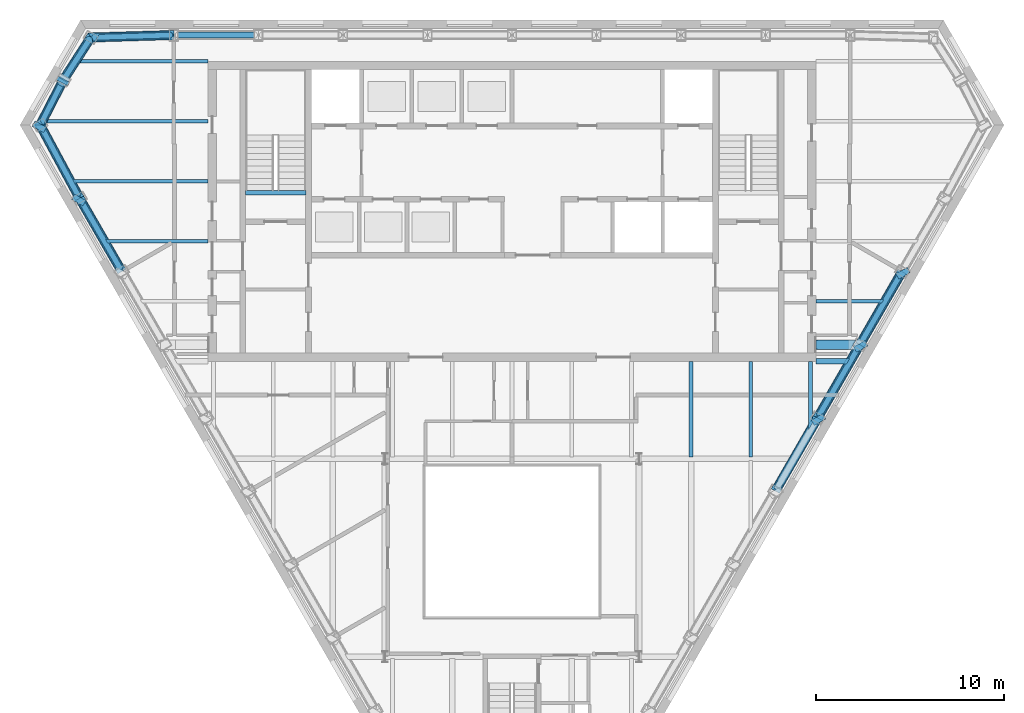
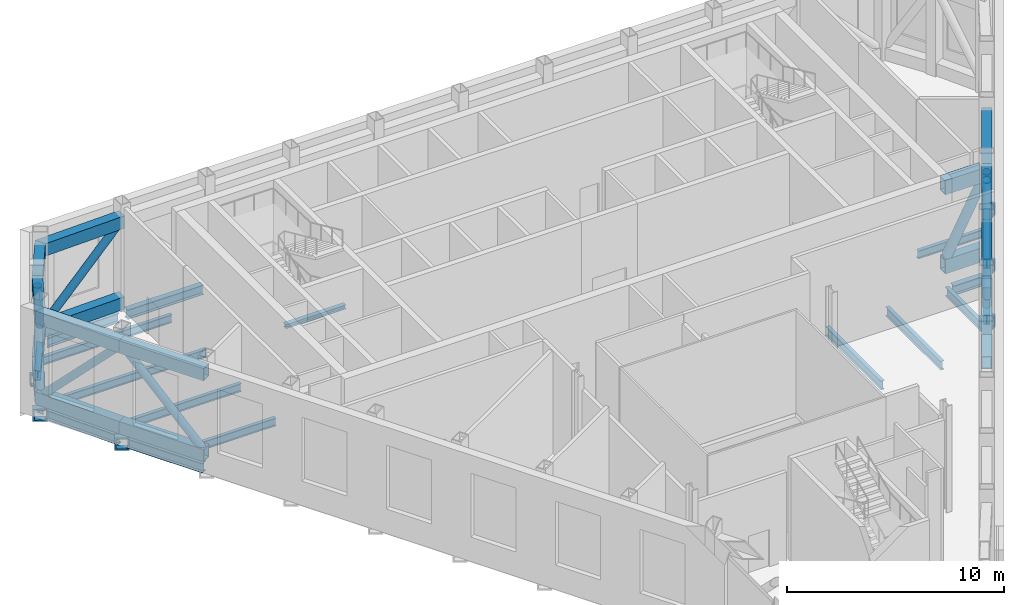
# One storey, part 4 of 14: 27 members, 24 beams.
"""IFC4 building model written with IfcOpenShell, lengths in metres."""

from ifc_helpers import new_model, si_unit, direction, frame, origin, origin_2d, place, context, subcontext, project, spatial, hollow_rectangle, hollow_circle, i_section, extrude, clip, halfspace, material, material_profile, profile_set, type_object, element, save


model = new_model("IFC4")

# Units and contexts
model_context = context("Model", 3, precision=1e-05, world=origin(), true_north=direction((0.0, 1.0)))
body_context = subcontext(model_context, "Body", "Model", "MODEL_VIEW")
ifc_project = project(units=[si_unit("LENGTHUNIT", "METRE"), si_unit("AREAUNIT", "SQUARE_METRE"), si_unit("VOLUMEUNIT", "CUBIC_METRE"), si_unit("PLANEANGLEUNIT", "RADIAN"), si_unit("MASSUNIT", "GRAM", prefix="KILO")], contexts=[model_context])

# Site, building, storey
site_placement = place(None, origin())
site = spatial("IfcSite", under=ifc_project, at=site_placement, CompositionType="ELEMENT")
building_placement = place(site_placement, origin())
building = spatial("IfcBuilding", under=site, at=building_placement, Name="Njiva Tower", CompositionType="ELEMENT")
storey_placement = place(building_placement, frame((0.0, 0.0, 239.4)))
storey = spatial("IfcBuildingStorey", under=building, at=storey_placement, Name="L54", CompositionType="ELEMENT", Elevation=239.4)

# Beams
ifc_material_1 = material(Name="Steel S355 J2", Category="steel")
ifc_material_profile_1 = material_profile(ifc_material_1, hollow_rectangle(XDim=0.7, YDim=0.7, WallThickness=0.08, at=origin_2d()), Name="BOX 700x700x80")
ifc_profile_set_1 = profile_set([ifc_material_profile_1], Name="Steel S355 J2")
beam_type_1 = type_object("IfcBeamType", Name="B19 Column jog beam BOX 700x700x80", PredefinedType="BEAM", material=ifc_profile_set_1)
beam_1_placement = place(storey_placement, frame((-24.0, 16.854, -0.55), z_axis=(0.463334503305, 0.886183467487, 0.0), x_axis=(-0.886183467487, 0.463334503305, 0.0)))
element("IfcBeam", 1, at=beam_1_placement, inside=storey, type_object=beam_type_1, Name="Column jog beam T4-B018", PredefinedType="BEAM", context=body_context, shape_type="SweptSolid", body=[
    extrude(hollow_rectangle(XDim=0.7, YDim=0.7, WallThickness=0.08, at=origin_2d()), origin(), (0.0, 0.0, 1.0), 0.2223),
])
beam_2_placement = place(storey_placement, frame((-25.287, 14.362, -0.55), z_axis=(0.480983596396, 0.876729593431, 0.0), x_axis=(-0.876729593431, 0.480983596396, 0.0)))
element("IfcBeam", 2, at=beam_2_placement, inside=storey, type_object=beam_type_1, Name="Column jog beam T4-B017", PredefinedType="BEAM", context=body_context, shape_type="SweptSolid", body=[
    extrude(hollow_rectangle(XDim=0.7, YDim=0.7, WallThickness=0.08, at=origin_2d()), origin(), (0.0, 0.0, 1.0), 0.3285),
])
beam_3_placement = place(storey_placement, frame((-23.187, 10.46, -0.55), z_axis=(0.487203149524, 0.873288664242, 0.0), x_axis=(-0.873288664242, 0.487203149524, 0.0)))
element("IfcBeam", 3, at=beam_3_placement, inside=storey, type_object=beam_type_1, Name="Column jog beam T4-B019", PredefinedType="BEAM", context=body_context, shape_type="SweptSolid", body=[
    extrude(hollow_rectangle(XDim=0.7, YDim=0.7, WallThickness=0.08, at=origin_2d()), origin(), (0.0, 0.0, 1.0), 0.3264),
])
beam_4_placement = place(storey_placement, frame((16.428, -1.248, -0.55), z_axis=(-0.498124460568, 0.867105542471, 0.0), x_axis=(-0.867105542471, -0.498124460568, 0.0)))
element("IfcBeam", 4, at=beam_4_placement, inside=storey, type_object=beam_type_1, Name="Column jog beam T4-B040", PredefinedType="BEAM", context=body_context, shape_type="SweptSolid", body=[
    extrude(hollow_rectangle(XDim=0.7, YDim=0.7, WallThickness=0.08, at=origin_2d()), origin(), (0.0, 0.0, 1.0), 0.3252),
])
for number, where, z_axis, x_axis, name in (
    (5, (18.68, 2.654, -0.55), (-0.488509809828, 0.872558402459, 0.0), (-0.872558402459, -0.488509809828, 0.0), "Column jog beam T4-B041"),
    (6, (20.934, 6.557, -0.55), (-0.488509809828, 0.872558402459, 0.0), (-0.872558402459, -0.488509809828, 0.0), "Column jog beam T4-B042"),
):
    element("IfcBeam", number, at=place(storey_placement, frame(where, z_axis=z_axis, x_axis=x_axis)), inside=storey, type_object=beam_type_1, Name=name, PredefinedType="BEAM", context=body_context, shape_type="SweptSolid", body=[
        extrude(hollow_rectangle(XDim=0.7, YDim=0.7, WallThickness=0.08, at=origin_2d()), origin(), (0.0, 0.0, 1.0), 0.3255),
    ])
ifc_material_profile_2 = material_profile(ifc_material_1, i_section(OverallWidth=0.19, OverallDepth=0.45, WebThickness=0.0094, FlangeThickness=0.0146, at=origin_2d()), Name="IPE 450")
ifc_profile_set_2 = profile_set([ifc_material_profile_2], Name="Steel S355 J2")
beam_type_2 = type_object("IfcBeamType", Name="B37 Floor beam to the core IPE 450", PredefinedType="BEAM", material=ifc_profile_set_2)
beam_5_placement = place(storey_placement, frame((-21.693, 8.4, -0.425), z_axis=(1.0, 0.0, 0.0), x_axis=(0.0, 1.0, 0.0)))
element("IfcBeam", 7, at=beam_5_placement, inside=storey, type_object=beam_type_2, Name="Floor beam to the core T4-B004", PredefinedType="BEAM", context=body_context, shape_type="Clipping", body=[
    clip(extrude(i_section(OverallWidth=0.19, OverallDepth=0.45, WebThickness=0.0094, FlangeThickness=0.0146, at=origin_2d()), origin(), (0.0, 0.0, 1.0), 5.493), halfspace(frame((-0.025, 0.0, 0.0894), z_axis=(-0.499998009787, 0.0, -0.866026552831), x_axis=(0.0, -1.0, 0.0)), False)),
])
beam_6_placement = place(storey_placement, frame((-23.503, 11.6, -0.425), z_axis=(1.0, 0.0, 0.0), x_axis=(0.0, 1.0, 0.0)))
element("IfcBeam", 8, at=beam_6_placement, inside=storey, type_object=beam_type_2, Name="Floor beam to the core T4-B002", PredefinedType="BEAM", context=body_context, shape_type="Clipping", body=[
    clip(extrude(i_section(OverallWidth=0.19, OverallDepth=0.45, WebThickness=0.0094, FlangeThickness=0.0146, at=origin_2d()), origin(), (0.0, 0.0, 1.0), 7.303), halfspace(frame((-0.0237, 0.0, 0.084), z_axis=(-0.473769423091, 0.0, -0.880648927634), x_axis=(0.0, -1.0, 0.0)), False)),
])
beam_7_placement = place(storey_placement, frame((-25.01, 14.8, -0.425), z_axis=(1.0, 0.0, 0.0), x_axis=(0.0, 1.0, 0.0)))
element("IfcBeam", 9, at=beam_7_placement, inside=storey, type_object=beam_type_2, Name="Floor beam to the core T4-B001", PredefinedType="BEAM", context=body_context, shape_type="Clipping", body=[
    clip(extrude(i_section(OverallWidth=0.19, OverallDepth=0.45, WebThickness=0.0094, FlangeThickness=0.0146, at=origin_2d()), origin(), (0.0, 0.0, 1.0), 8.81), halfspace(frame((0.0228, 0.0, 0.0809), z_axis=(0.456688334689, 0.0, -0.889626755982), x_axis=(0.0, -1.0, 0.0)), False)),
])
beam_8_placement = place(storey_placement, frame((-23.241, 18.0, -0.425), z_axis=(1.0, 0.0, 0.0), x_axis=(0.0, 1.0, 0.0)))
element("IfcBeam", 10, at=beam_8_placement, inside=storey, type_object=beam_type_2, Name="Floor beam to the core T4-B003", PredefinedType="BEAM", context=body_context, shape_type="Clipping", body=[
    clip(extrude(i_section(OverallWidth=0.19, OverallDepth=0.45, WebThickness=0.0094, FlangeThickness=0.0146, at=origin_2d()), origin(), (0.0, 0.0, 1.0), 7.041), halfspace(frame((0.0271, 0.0, 0.0989), z_axis=(0.542090197727, 0.0, -0.840320306507), x_axis=(0.0, -1.0, 0.0)), False)),
])
ifc_material_profile_3 = material_profile(ifc_material_1, i_section(OverallWidth=0.19, OverallDepth=0.45, WebThickness=0.0094, FlangeThickness=0.0146, at=origin_2d()), Name="IPE 450")
ifc_profile_set_3 = profile_set([ifc_material_profile_3], Name="Steel S355 J2")
beam_type_3 = type_object("IfcBeamType", Name="B38 Short-span floor beam to the core IPE 450", PredefinedType="BEAM", material=ifc_profile_set_3)
beam_9_placement = place(storey_placement, frame((16.2, 5.2, -0.425), z_axis=(1.0, 0.0, 0.0), x_axis=(0.0, 1.0, 0.0)))
element("IfcBeam", 11, at=beam_9_placement, inside=storey, type_object=beam_type_3, Name="Short-span floor beam to the core T4-B006", PredefinedType="BEAM", context=body_context, shape_type="Clipping", body=[
    clip(extrude(i_section(OverallWidth=0.19, OverallDepth=0.45, WebThickness=0.0094, FlangeThickness=0.0146, at=origin_2d()), origin(), (0.0, 0.0, 1.0), 3.646), halfspace(frame((-0.025, 0.0, 3.5561), z_axis=(-0.499998009787, 0.0, 0.866026552831), x_axis=(0.0, 1.0, 0.0)), False)),
])
ifc_material_profile_4 = material_profile(ifc_material_1, i_section(OverallWidth=0.3, OverallDepth=0.54, WebThickness=0.0125, FlangeThickness=0.024, at=origin_2d()), Name="HEA 550")
ifc_profile_set_4 = profile_set([ifc_material_profile_4], Name="Steel S355 J2")
beam_type_4 = type_object("IfcBeamType", Name="B39 Short-span spandrel beam HEA 550", PredefinedType="SPANDREL", material=ifc_profile_set_4)
beam_10_placement = place(storey_placement, frame((-13.745, 19.4, -0.47), z_axis=(-1.0, 0.0, 0.0), x_axis=(0.0, -1.0, 0.0)))
element("IfcBeam", 12, at=beam_10_placement, inside=storey, type_object=beam_type_4, Name="Short-span spandrel beam T4-B077", PredefinedType="SPANDREL", context=body_context, shape_type="SweptSolid", body=[
    extrude(i_section(OverallWidth=0.3, OverallDepth=0.54, WebThickness=0.0125, FlangeThickness=0.024, at=origin_2d()), origin(), (0.0, 0.0, 1.0), 4.056),
])
beam_11_placement = place(storey_placement, frame((-18.255, 19.393, -0.47), z_axis=(-0.999553722739, -0.029872317597, 0.0), x_axis=(0.029872317597, -0.999553722739, 0.0)))
element("IfcBeam", 13, at=beam_11_placement, inside=storey, type_object=beam_type_4, Name="Short-span spandrel beam T4-B074", PredefinedType="SPANDREL", context=body_context, shape_type="Clipping", body=[
    clip(extrude(i_section(OverallWidth=0.3, OverallDepth=0.54, WebThickness=0.0125, FlangeThickness=0.024, at=origin_2d()), origin(), (0.0, 0.0, 1.0), 3.9627), halfspace(frame((-0.0259, 0.0, 3.8339), z_axis=(-0.525645092279, 0.0, 0.850703965527), x_axis=(0.0, 1.0, 0.0)), False)),
])
beam_12_placement = place(storey_placement, frame((-22.585, 19.074, -0.47), z_axis=(-0.542418684467, -0.840108308935, 0.0), x_axis=(0.840108308935, -0.542418684467, 0.0)))
element("IfcBeam", 14, at=beam_12_placement, inside=storey, type_object=beam_type_4, Name="Short-span spandrel beam T4-B072", PredefinedType="SPANDREL", context=body_context, shape_type="SweptSolid", body=[
    extrude(i_section(OverallWidth=0.3, OverallDepth=0.54, WebThickness=0.0125, FlangeThickness=0.024, at=origin_2d()), origin(), (0.0, 0.0, 1.0), 2.3414),
])
beam_13_placement = place(storey_placement, frame((-24.078, 16.701, -0.47), z_axis=(-0.45638067193, -0.889784626912, 0.0), x_axis=(0.889784626912, -0.45638067193, 0.0)))
element("IfcBeam", 15, at=beam_13_placement, inside=storey, type_object=beam_type_4, Name="Short-span spandrel beam T4-B070", PredefinedType="SPANDREL", context=body_context, shape_type="Clipping", body=[
    clip(extrude(i_section(OverallWidth=0.3, OverallDepth=0.54, WebThickness=0.0125, FlangeThickness=0.024, at=origin_2d()), origin(), (0.0, 0.0, 1.0), 2.3366), halfspace(frame((-0.0273, 0.0, 2.2022), z_axis=(-0.542387685537, 0.0, 0.840128322685), x_axis=(0.0, 1.0, 0.0)), False)),
])
beam_14_placement = place(storey_placement, frame((-24.998, 14.301, -0.47), z_axis=(0.473784701047, -0.880640708265, 0.0), x_axis=(0.880640708265, 0.473784701047, 0.0)))
element("IfcBeam", 16, at=beam_14_placement, inside=storey, type_object=beam_type_4, Name="Short-span spandrel beam T4-B071", PredefinedType="SPANDREL", context=body_context, shape_type="SweptSolid", body=[
    extrude(i_section(OverallWidth=0.3, OverallDepth=0.54, WebThickness=0.0125, FlangeThickness=0.024, at=origin_2d()), origin(), (0.0, 0.0, 1.0), 3.9744),
])
beam_15_placement = place(storey_placement, frame((-22.892, 10.406, -0.47), z_axis=(0.500142068684, -0.865943364853, 0.0), x_axis=(0.865943364853, 0.500142068684, 0.0)))
element("IfcBeam", 17, at=beam_15_placement, inside=storey, type_object=beam_type_4, Name="Short-span spandrel beam T4-B073", PredefinedType="SPANDREL", context=body_context, shape_type="SweptSolid", body=[
    extrude(i_section(OverallWidth=0.3, OverallDepth=0.54, WebThickness=0.0125, FlangeThickness=0.024, at=origin_2d()), origin(), (0.0, 0.0, 1.0), 4.0568),
])
for number, where, z_axis, x_axis, name in (
    (18, (16.357, -0.913, -0.47), (0.499957196903, 0.866050114754, 0.0), (-0.866050114754, 0.499957196903, 0.0), "Short-span spandrel beam T4-B099"),
    (19, (18.61, 2.99, -0.47), (0.499957196903, 0.866050114754, 0.0), (-0.866050114754, 0.499957196903, 0.0), "Short-span spandrel beam T4-B101"),
):
    element("IfcBeam", number, at=place(storey_placement, frame(where, z_axis=z_axis, x_axis=x_axis)), inside=storey, type_object=beam_type_4, Name=name, PredefinedType="SPANDREL", context=body_context, shape_type="SweptSolid", body=[
        extrude(i_section(OverallWidth=0.3, OverallDepth=0.54, WebThickness=0.0125, FlangeThickness=0.024, at=origin_2d()), origin(), (0.0, 0.0, 1.0), 4.0563),
    ])
ifc_material_profile_5 = material_profile(ifc_material_1, i_section(OverallWidth=0.3, OverallDepth=0.54, WebThickness=0.0125, FlangeThickness=0.024, at=origin_2d()), Name="HEA 550")
ifc_profile_set_5 = profile_set([ifc_material_profile_5], Name="Steel S355 J2")
beam_type_5 = type_object("IfcBeamType", Name="B41 Short-span floor girder HEA 550", PredefinedType="BEAM", material=ifc_profile_set_5)
beam_16_placement = place(storey_placement, frame((16.2, 2.0, -0.47), z_axis=(1.0, 0.0, 0.0), x_axis=(0.0, 1.0, 0.0)))
element("IfcBeam", 20, at=beam_16_placement, inside=storey, type_object=beam_type_5, Name="Short-span floor girder T4-B016", PredefinedType="BEAM", context=body_context, shape_type="Clipping", body=[
    clip(extrude(i_section(OverallWidth=0.3, OverallDepth=0.54, WebThickness=0.0125, FlangeThickness=0.024, at=origin_2d()), origin(), (0.0, 0.0, 1.0), 1.83), halfspace(frame((-0.025, 0.0, 1.7086), z_axis=(-0.499998009787, 0.0, 0.866026552831), x_axis=(0.0, 1.0, 0.0)), False)),
])
ifc_material_profile_6 = material_profile(ifc_material_1, i_section(OverallWidth=0.2, OverallDepth=0.5, WebThickness=0.0102, FlangeThickness=0.016, at=origin_2d()), Name="IPE 500")
ifc_profile_set_6 = profile_set([ifc_material_profile_6], Name="Steel S355 J2")
beam_type_6 = type_object("IfcBeamType", Name="B42 Short-span floor joist IPE 500", PredefinedType="JOIST", material=ifc_profile_set_6)
beam_17_placement = place(storey_placement, frame((15.917, 1.995, -0.45), z_axis=(0.0, -1.0, 0.0), x_axis=(1.0, 0.0, 0.0)))
element("IfcBeam", 21, at=beam_17_placement, inside=storey, type_object=beam_type_6, Name="Short-span floor joist T4-B065", PredefinedType="JOIST", context=body_context, shape_type="Clipping", body=[
    clip(extrude(i_section(OverallWidth=0.2, OverallDepth=0.5, WebThickness=0.0102, FlangeThickness=0.016, at=origin_2d()), origin(), (0.0, 0.0, 1.0), 3.663), halfspace(frame((0.043, 0.0, 3.3951), z_axis=(0.866026552831, 0.0, 0.499998009787), x_axis=(0.0, 1.0, 0.0)), False)),
])
ifc_material_profile_7 = material_profile(ifc_material_1, i_section(OverallWidth=0.2, OverallDepth=0.5, WebThickness=0.0102, FlangeThickness=0.016, at=origin_2d()), Name="IPE 500")
ifc_profile_set_7 = profile_set([ifc_material_profile_7], Name="Steel S355 J2")
beam_type_7 = type_object("IfcBeamType", Name="B43 Floor joist IPE 500", PredefinedType="JOIST", material=ifc_profile_set_7)
for number, where, z_axis, x_axis, name in (
    (22, (9.55, 1.995, -0.45), (0.0, -1.0, 0.0), (1.0, 0.0, 0.0), "Floor joist T4-B062"),
    (23, (12.733, 1.995, -0.45), (0.0, -1.0, 0.0), (1.0, 0.0, 0.0), "Floor joist T4-B064"),
):
    element("IfcBeam", number, at=place(storey_placement, frame(where, z_axis=z_axis, x_axis=x_axis)), inside=storey, type_object=beam_type_7, Name=name, PredefinedType="JOIST", context=body_context, shape_type="SweptSolid", body=[
        extrude(i_section(OverallWidth=0.2, OverallDepth=0.5, WebThickness=0.0102, FlangeThickness=0.016, at=origin_2d()), origin(), (0.0, 0.0, 1.0), 5.095),
    ])
ifc_material_profile_8 = material_profile(ifc_material_1, i_section(OverallWidth=0.24, OverallDepth=0.23, WebThickness=0.0075, FlangeThickness=0.012, at=origin_2d()), Name="HEA240")
ifc_profile_set_8 = profile_set([ifc_material_profile_8], Name="Steel S355 J2")
beam_type_8 = type_object("IfcBeamType", Name="FL8 Landing beam HEA 240", PredefinedType="BEAM", material=ifc_profile_set_8)
beam_18_placement = place(storey_placement, frame((-14.206, 10.98, 2.685), z_axis=(1.0, 0.0, 0.0), x_axis=(0.0, 1.0, 0.0)))
element("IfcBeam", 24, at=beam_18_placement, inside=storey, type_object=beam_type_8, Name="Landing beam", PredefinedType="BEAM", context=body_context, shape_type="SweptSolid", body=[
    extrude(i_section(OverallWidth=0.24, OverallDepth=0.23, WebThickness=0.0075, FlangeThickness=0.012, at=origin_2d()), origin(), (0.0, 0.0, 1.0), 3.212),
])

# Members
ifc_material_profile_9 = material_profile(ifc_material_1, hollow_rectangle(XDim=0.5, YDim=0.8, WallThickness=0.05, at=origin_2d()), Name="BOX 800x500x50")
ifc_profile_set_9 = profile_set([ifc_material_profile_9], Name="Steel S355 J2")
member_type_1 = type_object("IfcMemberType", Name="OR1 Outrigger truss chord BOX 800x500x50", PredefinedType="CHORD", material=ifc_profile_set_9)
for number, where, z_axis, x_axis, name in (
    (25, (16.2, 2.886, 0.4), (1.0, 0.0, 0.0), (0.0, 1.0, 0.0), "Outrigger truss chord T4-TR112"),
    (26, (16.2, 2.886, 4.86), (1.0, 0.0, 0.0), (0.0, 1.0, 0.0), "Outrigger truss chord T4-TR113"),
):
    element("IfcMember", number, at=place(storey_placement, frame(where, z_axis=z_axis, x_axis=x_axis)), inside=storey, type_object=member_type_1, Name=name, PredefinedType="CHORD", context=body_context, shape_type="Clipping", body=[
        clip(extrude(hollow_rectangle(XDim=0.5, YDim=0.8, WallThickness=0.05, at=origin_2d()), origin(), (0.0, 0.0, 1.0), 2.524), halfspace(frame((-0.025, 0.0, 1.9892), z_axis=(-0.499998009787, 0.0, 0.866026552831), x_axis=(0.0, 1.0, 0.0)), False)),
    ])
ifc_material_2 = material(Name="Steel S355 J2H", Category="steel")
ifc_material_profile_10 = material_profile(ifc_material_2, hollow_circle(Radius=0.254, WallThickness=0.016, at=origin_2d()), Name="CHS 508x16")
ifc_profile_set_10 = profile_set([ifc_material_profile_10], Name="Steel S355 J2H")
member_type_2 = type_object("IfcMemberType", Name="OR2 Outrigger truss diagonal CHS 508x16", PredefinedType="BRACE", material=ifc_profile_set_10)
member_1_placement = place(storey_placement, frame((15.9604, 2.886, -0.0547), z_axis=(0.466155159068, 0.0, 0.884702982743), x_axis=(0.0, 1.0, 0.0)))
element("IfcMember", 27, at=member_1_placement, inside=storey, type_object=member_type_2, Name="Outrigger truss diagonal T4-TR114", PredefinedType="BRACE", context=body_context, shape_type="Clipping", body=[
    clip(clip(clip(clip(extrude(hollow_circle(Radius=0.254, WallThickness=0.016, at=origin_2d()), origin(), (0.0, 0.0, 1.0), 6.1632), halfspace(frame((-2.886, 14.514, -6.6927), z_axis=(0.0, -0.466155159068, -0.884702982743), x_axis=(0.0, -0.884702982743, 0.466155159068)), False)), halfspace(frame((0.0, -111.784, -211.6378), z_axis=(0.0, 0.884702982743, -0.466155159068), x_axis=(0.0, -0.466155159068, -0.884702982743)), False)), halfspace(frame((-2.886, 16.2294, -3.437), z_axis=(0.0, 0.466155159068, 0.884702982743), x_axis=(0.0, 0.884702982743, -0.466155159068)), False)), halfspace(frame((-0.025, 0.3192, 5.3871), z_axis=(-0.499998009787, -0.766176274424, 0.403702745493), x_axis=(0.0, 0.466155159068, 0.884702982743)), False)),
])
ifc_material_profile_11 = material_profile(ifc_material_1, hollow_rectangle(XDim=0.5, YDim=0.7, WallThickness=0.04, at=origin_2d()), Name="BOX 700x500x40")
ifc_profile_set_11 = profile_set([ifc_material_profile_11], Name="Steel S355 J2")
member_type_3 = type_object("IfcMemberType", Name="TC2 Belt truss chord BOX 700x500x40", PredefinedType="CHORD", material=ifc_profile_set_11)
member_2_placement = place(storey_placement, frame((-17.996, 19.401, 0.35), z_axis=(-0.999549830104, -0.03000228558, 0.0), x_axis=(0.03000228558, -0.999549830104, 0.0)))
element("IfcMember", 28, at=member_2_placement, inside=storey, type_object=member_type_3, Name="Belt truss chord T4-TR028", PredefinedType="CHORD", context=body_context, shape_type="Clipping", body=[
    clip(clip(extrude(hollow_rectangle(XDim=0.5, YDim=0.7, WallThickness=0.04, at=origin_2d()), origin(), (0.0, 0.0, 1.0), 4.628), halfspace(frame((0.0, -239.75, 0.034), z_axis=(0.015005700272, 0.0, -0.999887408141), x_axis=(0.0, -1.0, 0.0)), False)), halfspace(frame((0.0, -239.75, 4.467), z_axis=(0.46523279554, 0.0, 0.885188367498), x_axis=(0.0, 1.0, 0.0)), False)),
])
member_3_placement = place(storey_placement, frame((-17.996, 19.401, 4.91), z_axis=(-0.999549830104, -0.03000228558, 0.0), x_axis=(0.03000228558, -0.999549830104, 0.0)))
element("IfcMember", 29, at=member_3_placement, inside=storey, type_object=member_type_3, Name="Belt truss chord T4-TR029", PredefinedType="CHORD", context=body_context, shape_type="Clipping", body=[
    clip(clip(extrude(hollow_rectangle(XDim=0.5, YDim=0.7, WallThickness=0.04, at=origin_2d()), origin(), (0.0, 0.0, 1.0), 4.628), halfspace(frame((0.0, -244.31, 0.034), z_axis=(0.015005700272, 0.0, -0.999887408141), x_axis=(0.0, -1.0, 0.0)), False)), halfspace(frame((0.0, -244.31, 4.467), z_axis=(0.46523279554, 0.0, 0.885188367498), x_axis=(0.0, 1.0, 0.0)), False)),
])
member_4_placement = place(storey_placement, frame((-22.3737, 19.4023, 0.35), z_axis=(-0.542160609802, -0.840274879536, 0.0), x_axis=(0.840274879536, -0.542160609802, 0.0)))
element("IfcMember", 30, at=member_4_placement, inside=storey, type_object=member_type_3, Name="Belt truss chord T4-TR031", PredefinedType="CHORD", context=body_context, shape_type="Clipping", body=[
    clip(clip(extrude(hollow_rectangle(XDim=0.5, YDim=0.7, WallThickness=0.04, at=origin_2d()), origin(), (0.0, 0.0, 1.0), 2.9033), halfspace(frame((0.0, -239.75, 0.161), z_axis=(0.465222241167, 0.0, -0.885193914531), x_axis=(0.0, -1.0, 0.0)), False)), halfspace(frame((0.0, -239.75, 2.8613), z_axis=(0.049273256214, 0.0, 0.998785335406), x_axis=(0.0, 1.0, 0.0)), False)),
])
member_5_placement = place(storey_placement, frame((-22.3737, 19.4023, 4.91), z_axis=(-0.542160609802, -0.840274879536, 0.0), x_axis=(0.840274879536, -0.542160609802, 0.0)))
element("IfcMember", 31, at=member_5_placement, inside=storey, type_object=member_type_3, Name="Belt truss chord T4-TR032", PredefinedType="CHORD", context=body_context, shape_type="Clipping", body=[
    clip(clip(extrude(hollow_rectangle(XDim=0.5, YDim=0.7, WallThickness=0.04, at=origin_2d()), origin(), (0.0, 0.0, 1.0), 2.9033), halfspace(frame((0.0, -244.31, 0.161), z_axis=(0.465222241167, 0.0, -0.885193914531), x_axis=(0.0, -1.0, 0.0)), False)), halfspace(frame((0.0, -244.31, 2.8613), z_axis=(0.049273256214, 0.0, 0.998785335406), x_axis=(0.0, 1.0, 0.0)), False)),
])
member_6_placement = place(storey_placement, frame((-23.9058, 17.0354, 0.35), z_axis=(-0.45682053269, -0.889558879958, 0.0), x_axis=(0.889558879958, -0.45682053269, 0.0)))
element("IfcMember", 32, at=member_6_placement, inside=storey, type_object=member_type_3, Name="Belt truss chord T4-TR034", PredefinedType="CHORD", context=body_context, shape_type="Clipping", body=[
    clip(clip(extrude(hollow_rectangle(XDim=0.5, YDim=0.7, WallThickness=0.04, at=origin_2d()), origin(), (0.0, 0.0, 1.0), 2.9021), halfspace(frame((0.0, -239.75, 0.042), z_axis=(0.049275419369, 0.0, -0.998785228688), x_axis=(0.0, -1.0, 0.0)), False)), halfspace(frame((0.0, -239.75, 2.7411), z_axis=(0.465383534614, 0.0, 0.885109126442), x_axis=(0.0, 1.0, 0.0)), False)),
])
member_7_placement = place(storey_placement, frame((-23.9058, 17.0354, 4.91), z_axis=(-0.45682053269, -0.889558879958, 0.0), x_axis=(0.889558879958, -0.45682053269, 0.0)))
element("IfcMember", 33, at=member_7_placement, inside=storey, type_object=member_type_3, Name="Belt truss chord T4-TR035", PredefinedType="CHORD", context=body_context, shape_type="Clipping", body=[
    clip(clip(extrude(hollow_rectangle(XDim=0.5, YDim=0.7, WallThickness=0.04, at=origin_2d()), origin(), (0.0, 0.0, 1.0), 2.9021), halfspace(frame((0.0, -244.31, 0.042), z_axis=(0.049275419369, 0.0, -0.998785228688), x_axis=(0.0, -1.0, 0.0)), False)), halfspace(frame((0.0, -244.31, 2.7411), z_axis=(0.465383534614, 0.0, 0.885109126442), x_axis=(0.0, 1.0, 0.0)), False)),
])
member_8_placement = place(storey_placement, frame((-25.2343, 14.7388, 0.35), z_axis=(0.473898049697, -0.880579717285, 0.0), x_axis=(0.880579717285, 0.473898049697, 0.0)))
element("IfcMember", 34, at=member_8_placement, inside=storey, type_object=member_type_3, Name="Belt truss chord T4-TR037", PredefinedType="CHORD", context=body_context, shape_type="Clipping", body=[
    clip(clip(extrude(hollow_rectangle(XDim=0.5, YDim=0.7, WallThickness=0.04, at=origin_2d()), origin(), (0.0, 0.0, 1.0), 4.6284), halfspace(frame((0.0, -239.75, 0.161), z_axis=(0.465378360263, 0.0, -0.885111847056), x_axis=(0.0, -1.0, 0.0)), False)), halfspace(frame((0.0, -239.75, 4.5944), z_axis=(0.014845579979, 0.0, 0.999889798305), x_axis=(0.0, 1.0, 0.0)), False)),
])
member_9_placement = place(storey_placement, frame((-25.2343, 14.7388, 4.91), z_axis=(0.473898049697, -0.880579717285, 0.0), x_axis=(0.880579717285, 0.473898049697, 0.0)))
element("IfcMember", 35, at=member_9_placement, inside=storey, type_object=member_type_3, Name="Belt truss chord T4-TR038", PredefinedType="CHORD", context=body_context, shape_type="Clipping", body=[
    clip(clip(extrude(hollow_rectangle(XDim=0.5, YDim=0.7, WallThickness=0.04, at=origin_2d()), origin(), (0.0, 0.0, 1.0), 4.6284), halfspace(frame((0.0, -244.31, 0.161), z_axis=(0.465378360263, 0.0, -0.885111847056), x_axis=(0.0, -1.0, 0.0)), False)), halfspace(frame((0.0, -244.31, 4.5944), z_axis=(0.014845579979, 0.0, 0.999889798305), x_axis=(0.0, 1.0, 0.0)), False)),
])
member_10_placement = place(storey_placement, frame((-23.074, 10.7224, 0.35), z_axis=(0.499837685251, -0.86611909597, 0.0), x_axis=(0.86611909597, 0.499837685251, 0.0)))
element("IfcMember", 36, at=member_10_placement, inside=storey, type_object=member_type_3, Name="Belt truss chord T4-TR040", PredefinedType="CHORD", context=body_context, shape_type="Clipping", body=[
    clip(extrude(hollow_rectangle(XDim=0.5, YDim=0.7, WallThickness=0.04, at=origin_2d()), origin(), (0.0, 0.0, 1.0), 4.5415), halfspace(frame((0.0, -239.75, 0.034), z_axis=(0.014852471498, 0.0, -0.999889695962), x_axis=(0.0, -1.0, 0.0)), False)),
])
member_11_placement = place(storey_placement, frame((-23.074, 10.7224, 4.91), z_axis=(0.499837685251, -0.86611909597, 0.0), x_axis=(0.86611909597, 0.499837685251, 0.0)))
element("IfcMember", 37, at=member_11_placement, inside=storey, type_object=member_type_3, Name="Belt truss chord T4-TR041", PredefinedType="CHORD", context=body_context, shape_type="Clipping", body=[
    clip(extrude(hollow_rectangle(XDim=0.5, YDim=0.7, WallThickness=0.04, at=origin_2d()), origin(), (0.0, 0.0, 1.0), 4.5415), halfspace(frame((0.0, -244.31, 0.034), z_axis=(0.014852471498, 0.0, -0.999889695962), x_axis=(0.0, -1.0, 0.0)), False)),
])
for number, where, z_axis, x_axis, name in (
    (38, (14.042, -4.922, 0.35), (0.500004084281, 0.866023045711, 0.0), (-0.866023045711, 0.500004084281, 0.0), "Belt truss chord T4-TR088"),
    (39, (14.042, -4.922, 4.91), (0.500004084281, 0.866023045711, 0.0), (-0.866023045711, 0.500004084281, 0.0), "Belt truss chord T4-TR089"),
    (40, (16.296, -1.018, 0.35), (0.500004084281, 0.866023045711, 0.0), (-0.866023045711, 0.500004084281, 0.0), "Belt truss chord T4-TR091"),
    (41, (16.296, -1.018, 4.91), (0.500004084281, 0.866023045711, 0.0), (-0.866023045711, 0.500004084281, 0.0), "Belt truss chord T4-TR092"),
):
    element("IfcMember", number, at=place(storey_placement, frame(where, z_axis=z_axis, x_axis=x_axis)), inside=storey, type_object=member_type_3, Name=name, PredefinedType="CHORD", context=body_context, shape_type="SweptSolid", body=[
        extrude(hollow_rectangle(XDim=0.5, YDim=0.7, WallThickness=0.04, at=origin_2d()), origin(), (0.0, 0.0, 1.0), 4.508),
    ])
for number, where, z_axis, x_axis, name in (
    (42, (18.55, 2.886, 0.35), (0.50010015525, 0.865967571402, 0.0), (-0.865967571402, 0.50010015525, 0.0), "Belt truss chord T4-TR094"),
    (43, (18.55, 2.886, 4.91), (0.50010015525, 0.865967571402, 0.0), (-0.865967571402, 0.50010015525, 0.0), "Belt truss chord T4-TR095"),
):
    element("IfcMember", number, at=place(storey_placement, frame(where, z_axis=z_axis, x_axis=x_axis)), inside=storey, type_object=member_type_3, Name=name, PredefinedType="CHORD", context=body_context, shape_type="SweptSolid", body=[
        extrude(hollow_rectangle(XDim=0.5, YDim=0.7, WallThickness=0.04, at=origin_2d()), origin(), (0.0, 0.0, 1.0), 4.5071),
    ])
ifc_material_profile_12 = material_profile(ifc_material_2, hollow_circle(Radius=0.2032, WallThickness=0.016, at=origin_2d()), Name="CHS 406.4x16")
ifc_profile_set_12 = profile_set([ifc_material_profile_12], Name="Steel S355 J2H")
member_type_4 = type_object("IfcMemberType", Name="TD2 Belt truss diagonal CHS 406.4x16", PredefinedType="BRACE", material=ifc_profile_set_12)
member_12_placement = place(storey_placement, frame((-17.8704, 19.4048, 5.0742), z_axis=(-0.696737300788, -0.020913125932, -0.717021460526), x_axis=(0.03000228558, -0.999549830104, 0.0)))
element("IfcMember", 44, at=member_12_placement, inside=storey, type_object=member_type_4, Name="Belt truss diagonal T4-TR030", PredefinedType="BRACE", context=body_context, shape_type="Clipping", body=[
    clip(clip(extrude(hollow_circle(Radius=0.2032, WallThickness=0.016, at=origin_2d()), origin(), (0.0, 0.0, 1.0), 6.8176), halfspace(frame((19.9322, -12.7417, -11.6837), z_axis=(0.0, 0.697051092206, -0.717021460526), x_axis=(0.0, -0.717021460526, -0.697051092206)), False)), halfspace(frame((19.9322, -15.4463, -8.9016), z_axis=(0.0, -0.697051092206, 0.717021460526), x_axis=(0.0, 0.717021460526, 0.697051092206)), False)),
])
member_13_placement = place(storey_placement, frame((-22.4193, 19.3317, 0.2201), z_axis=(-0.27624973848, -0.428149355609, 0.860450005103), x_axis=(0.840274879536, -0.542160609802, 0.0)))
element("IfcMember", 45, at=member_13_placement, inside=storey, type_object=member_type_4, Name="Belt truss diagonal T4-TR033", PredefinedType="BRACE", context=body_context, shape_type="Clipping", body=[
    clip(clip(extrude(hollow_circle(Radius=0.2032, WallThickness=0.016, at=origin_2d()), origin(), (0.0, 0.0, 1.0), 5.6016), halfspace(frame((29.3192, -3.279, 2.4879), z_axis=(0.0, -0.50953487488, -0.860450005103), x_axis=(0.0, -0.860450005103, 0.50953487488)), False)), halfspace(frame((29.3192, -1.302, 5.8264), z_axis=(0.0, 0.50953487488, 0.860450005103), x_axis=(0.0, 0.860450005103, -0.50953487488)), False)),
])
member_14_placement = place(storey_placement, frame((-23.8899, 17.0664, 5.0399), z_axis=(-0.232688358318, -0.453110095962, -0.860550619569), x_axis=(0.889558879958, -0.45682053269, 0.0)))
element("IfcMember", 46, at=member_14_placement, inside=storey, type_object=member_type_4, Name="Belt truss diagonal T4-TR036", PredefinedType="BRACE", context=body_context, shape_type="Clipping", body=[
    clip(clip(extrude(hollow_circle(Radius=0.2032, WallThickness=0.016, at=origin_2d()), origin(), (0.0, 0.0, 1.0), 5.6009), halfspace(frame((29.0477, 3.4336, 2.5785), z_axis=(0.0, 0.509364929259, -0.860550619569), x_axis=(0.0, -0.860550619569, -0.509364929259)), False)), halfspace(frame((29.0477, 1.4573, 5.9174), z_axis=(0.0, -0.509364929259, 0.860550619569), x_axis=(0.0, 0.860550619569, 0.509364929259)), False)),
])
member_15_placement = place(storey_placement, frame((-25.2336, 14.7376, 0.1858), z_axis=(0.330348292613, -0.613840901647, 0.716986299055), x_axis=(0.880579717285, 0.473898049697, 0.0)))
element("IfcMember", 47, at=member_15_placement, inside=storey, type_object=member_type_4, Name="Belt truss diagonal T4-TR039", PredefinedType="BRACE", context=body_context, shape_type="Clipping", body=[
    clip(clip(extrude(hollow_circle(Radius=0.2032, WallThickness=0.016, at=origin_2d()), origin(), (0.0, 0.0, 1.0), 6.818), halfspace(frame((15.2361, -17.5271, 17.7439), z_axis=(0.0, -0.69708725922, -0.716986299055), x_axis=(0.0, -0.716986299055, 0.69708725922)), False)), halfspace(frame((15.2361, -14.8225, 20.5258), z_axis=(0.0, 0.69708725922, 0.716986299055), x_axis=(0.0, 0.716986299055, -0.69708725922)), False)),
])
member_16_placement = place(storey_placement, frame((-23.1389, 10.8349, 5.0757), z_axis=(0.351384900761, -0.60888000558, -0.711191809797), x_axis=(0.86611909597, 0.499837685251, 0.0)))
element("IfcMember", 48, at=member_16_placement, inside=storey, type_object=member_type_4, Name="Belt truss diagonal T4-TR042", PredefinedType="BRACE", context=body_context, shape_type="Clipping", body=[
    clip(clip(extrude(hollow_circle(Radius=0.2032, WallThickness=0.016, at=origin_2d()), origin(), (0.0, 0.0, 1.0), 6.8778), halfspace(frame((14.6253, 14.5439, 15.0874), z_axis=(0.0, 0.702998015416, -0.711191809797), x_axis=(0.0, -0.711191809797, -0.702998015416)), False)), halfspace(frame((14.6253, 11.8163, 17.8469), z_axis=(0.0, -0.702998015416, 0.711191809797), x_axis=(0.0, 0.711191809797, 0.702998015416)), False)),
])
member_17_placement = place(storey_placement, frame((13.9601, -5.0639, 5.0757), z_axis=(0.351521595663, 0.608846632417, -0.711152828847), x_axis=(-0.866023045711, 0.500004084281, 0.0)))
element("IfcMember", 49, at=member_17_placement, inside=storey, type_object=member_type_4, Name="Belt truss diagonal T4-TR090", PredefinedType="BRACE", context=body_context, shape_type="Clipping", body=[
    clip(clip(extrude(hollow_circle(Radius=0.2032, WallThickness=0.016, at=origin_2d()), origin(), (0.0, 0.0, 1.0), 6.8781), halfspace(frame((14.6217, -2.2007, -1.4645), z_axis=(0.0, 0.703037448521, -0.711152828847), x_axis=(0.0, -0.711152828847, -0.703037448521)), False)), halfspace(frame((14.6217, -4.9285, 1.2947), z_axis=(0.0, -0.703037448521, 0.711152828847), x_axis=(0.0, 0.711152828847, 0.703037448521)), False)),
])
member_18_placement = place(storey_placement, frame((16.2141, -1.1599, 0.1843), z_axis=(0.351521595663, 0.608846632417, 0.711152828847), x_axis=(-0.866023045711, 0.500004084281, 0.0)))
element("IfcMember", 50, at=member_18_placement, inside=storey, type_object=member_type_4, Name="Belt truss diagonal T4-TR093", PredefinedType="BRACE", context=body_context, shape_type="Clipping", body=[
    clip(clip(extrude(hollow_circle(Radius=0.2032, WallThickness=0.016, at=origin_2d()), origin(), (0.0, 0.0, 1.0), 6.8781), halfspace(frame((14.6217, 5.4066, -4.6338), z_axis=(0.0, -0.703037448521, -0.711152828847), x_axis=(0.0, -0.711152828847, 0.703037448521)), False)), halfspace(frame((14.6217, 8.1344, -1.8745), z_axis=(0.0, 0.703037448521, 0.711152828847), x_axis=(0.0, 0.711152828847, -0.703037448521)), False)),
])
member_19_placement = place(storey_placement, frame((18.4681, 2.7442, 5.0757), z_axis=(0.351554973965, 0.608748475327, -0.711220355493), x_axis=(-0.865967571402, 0.50010015525, 0.0)))
element("IfcMember", 51, at=member_19_placement, inside=storey, type_object=member_type_4, Name="Belt truss diagonal T4-TR096", PredefinedType="BRACE", context=body_context, shape_type="Clipping", body=[
    clip(clip(extrude(hollow_circle(Radius=0.2032, WallThickness=0.016, at=origin_2d()), origin(), (0.0, 0.0, 1.0), 6.8775), halfspace(frame((14.6204, -8.6144, -7.8034), z_axis=(0.0, 0.702969135832, -0.711220355493), x_axis=(0.0, -0.711220355493, -0.702969135832)), False)), halfspace(frame((14.6204, -11.3419, -5.0438), z_axis=(0.0, -0.702969135832, 0.711220355493), x_axis=(0.0, 0.711220355493, 0.702969135832)), False)),
])

save(model, "model.ifc")
